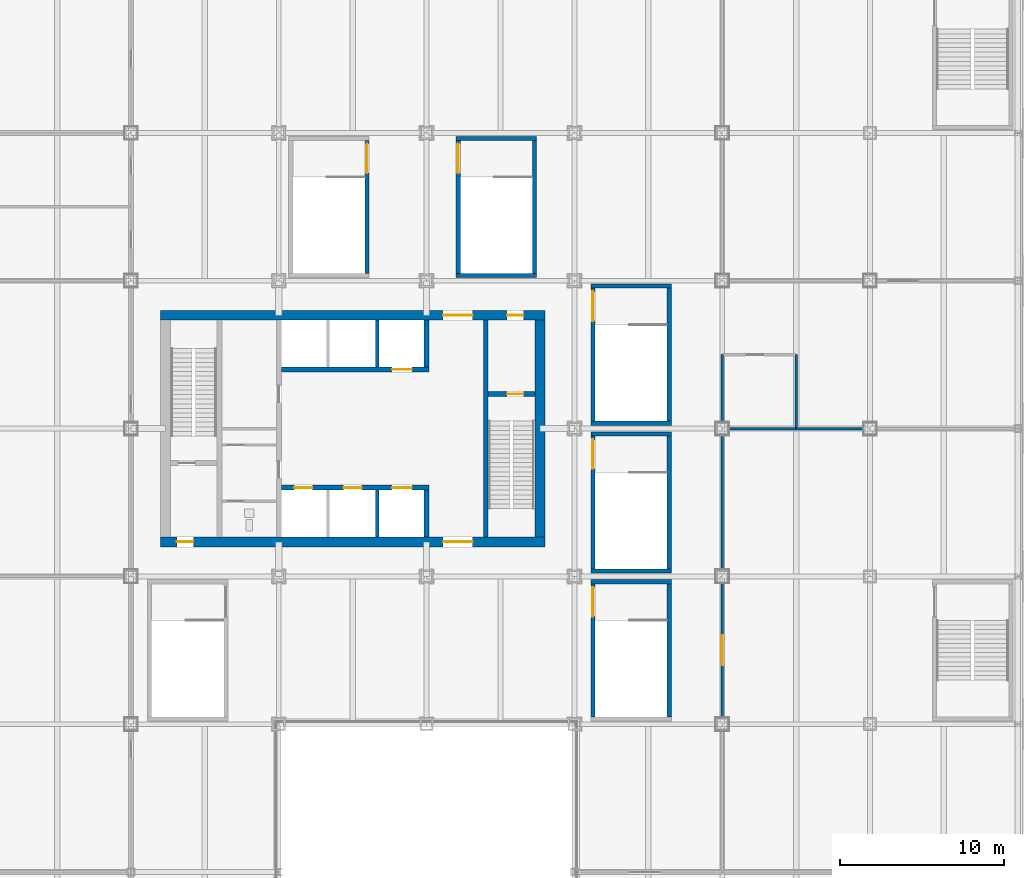
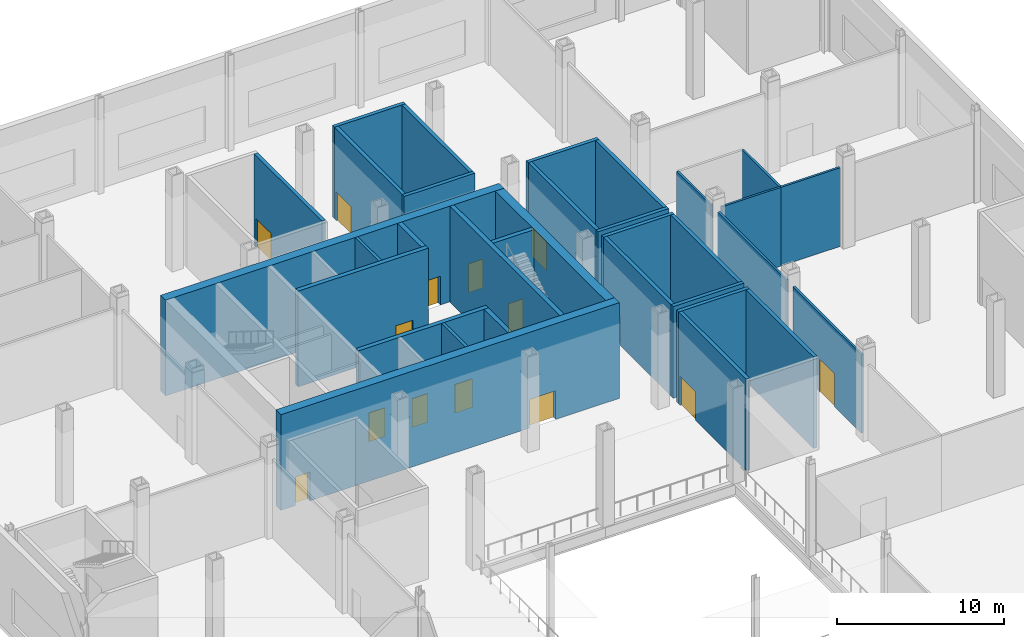
# One storey, part 13 of 32: 33 walls, 15 doors, 15 openings.
"""IFC4 building model written with IfcOpenShell, lengths in metres."""

import ifcopenshell
import ifcopenshell.guid

model = None  # the IFC model being written
_history = None  # IfcOwnerHistory: only IFC2X3 demands one
_inside = {}  # id of a spatial element -> (the spatial element, [elements in it])
_under = {}  # id of a project, library or spatial element -> (it, [spatial elements below it])
_declared = {}  # id of a project -> (the project, [libraries it declares])
_typed = {}  # id of a type object -> (the type object, [elements of that type])
_made_of = {}  # id of a material, layer set ... -> (it, [elements and type objects made of it])


def new_model(schema):
    """Start an empty IFC model of exactly this schema.

    Asked for "IFC4X3", IfcOpenShell would pick the latest addendum, in which some entities
    have other attributes; the version numbers below select the first issue.
    IFC2X3 requires an IfcOwnerHistory on every rooted entity: one is made here for all.
    """
    global model, _history
    if schema == "IFC4X3":
        model = ifcopenshell.file(schema_version=(4, 3, 0, 0))
    else:
        model = ifcopenshell.file(schema=schema)
    _inside.clear()
    _under.clear()
    _declared.clear()
    _typed.clear()
    _made_of.clear()
    _history = None
    if model.schema == "IFC2X3":
        org = make("IfcOrganization", Name="unknown")
        user = make(
            "IfcPersonAndOrganization",
            ThePerson=make("IfcPerson", FamilyName="unknown"),
            TheOrganization=org,
        )
        app = make(
            "IfcApplication",
            ApplicationDeveloper=org,
            Version="unknown",
            ApplicationFullName="unknown",
            ApplicationIdentifier="unknown",
        )
        _history = make(
            "IfcOwnerHistory",
            OwningUser=user,
            OwningApplication=app,
            ChangeAction="ADDED",
            CreationDate=0,
        )
    return model


def make(cls, **values):
    """One entity of the class cls with the attributes given. An attribute that is None is left unset."""
    return model.create_entity(
        cls, **{name: value for name, value in values.items() if value is not None}
    )


def rooted(cls, **values):
    """An entity with a GlobalId (a new one), such as an element, a storey or a relation."""
    return make(cls, GlobalId=ifcopenshell.guid.new(), OwnerHistory=_history, **values)


def si_unit(unit_type, name, prefix=None):
    """IfcSIUnit, for example si_unit("LENGTHUNIT", "METRE", prefix="MILLI")."""
    return make("IfcSIUnit", UnitType=unit_type, Prefix=prefix, Name=name)


def assignment(units):
    """IfcUnitAssignment: the units of a project."""
    return None if units is None else make("IfcUnitAssignment", Units=units)


def point(xyz):
    """IfcCartesianPoint."""
    return None if xyz is None else make("IfcCartesianPoint", Coordinates=xyz)


def direction(xyz):
    """IfcDirection."""
    return None if xyz is None else make("IfcDirection", DirectionRatios=xyz)


def frame(location, z_axis=None, x_axis=None):
    """IfcAxis2Placement3D, a coordinate frame: its origin and axes. An axis left out is left unset."""
    return make(
        "IfcAxis2Placement3D",
        Location=point(location),
        Axis=direction(z_axis),
        RefDirection=direction(x_axis),
    )


def frame_2d(location, x_axis=None):
    """IfcAxis2Placement2D, a coordinate frame in the plane: its origin and x axis."""
    return make(
        "IfcAxis2Placement2D", Location=point(location), RefDirection=direction(x_axis)
    )


def origin():
    """The frame at (0, 0, 0) with its axes left unset."""
    return frame((0.0, 0.0, 0.0))


def place(relative_to, where):
    """IfcLocalPlacement: puts the frame where relative to a parent placement (None: the world)."""
    return make(
        "IfcLocalPlacement", PlacementRelTo=relative_to, RelativePlacement=where
    )


def context(
    kind, dimensions, precision=None, world=None, true_north=None, identifier=None
):
    """IfcGeometricRepresentationContext, for example the 3D "Model" context."""
    return make(
        "IfcGeometricRepresentationContext",
        ContextIdentifier=identifier,
        ContextType=kind,
        CoordinateSpaceDimension=dimensions,
        Precision=precision,
        WorldCoordinateSystem=world,
        TrueNorth=true_north,
    )


def subcontext(parent, identifier, kind, view, scale=None):
    """IfcGeometricRepresentationSubContext, for example "Body" below "Model"."""
    return make(
        "IfcGeometricRepresentationSubContext",
        ContextIdentifier=identifier,
        ContextType=kind,
        ParentContext=parent,
        TargetScale=scale,
        TargetView=view,
    )


def project(units=None, contexts=None):
    """IfcProject with its units and contexts."""
    return rooted(
        "IfcProject",
        Name="project",
        RepresentationContexts=contexts,
        UnitsInContext=assignment(units),
    )


def spatial(cls, under=None, at=None, **own):
    """A site, building, storey or space (cls), placed at a placement, below another one or the project."""
    s = rooted(cls, ObjectPlacement=at, **own)
    if under is not None:
        _under.setdefault(under.id(), (under, []))[1].append(s)
    return s


def profile(cls, at=None, kind="AREA", **sizes):
    """A parametric profile (cls). Its sizes go by their IFC names, for example OverallWidth=200.0."""
    return make(cls, ProfileType=kind, Position=at, **sizes)


def rectangle(**sizes):
    """IfcRectangleProfileDef."""
    return profile("IfcRectangleProfileDef", **sizes)


def extrude(swept, where, along, depth):
    """IfcExtrudedAreaSolid: the profile swept, set in the frame where, extruded along a direction by depth."""
    return make(
        "IfcExtrudedAreaSolid",
        SweptArea=swept,
        Position=where,
        ExtrudedDirection=direction(along),
        Depth=depth,
    )


def shape(context_of_items, identifier, shape_type, items):
    """IfcShapeRepresentation: the items that make up one representation, for example the "Body"."""
    return make(
        "IfcShapeRepresentation",
        ContextOfItems=context_of_items,
        RepresentationIdentifier=identifier,
        RepresentationType=shape_type,
        Items=items,
    )


def material(Name=None, Category=None):
    """IfcMaterial."""
    return make("IfcMaterial", Name=Name, Category=Category)


def layer(
    of_material, thickness, ventilated=None, Name=None, Category=None, Priority=None
):
    """IfcMaterialLayer: one layer of a wall or slab, of a material (None: an air gap)."""
    return make(
        "IfcMaterialLayer",
        Material=of_material,
        LayerThickness=thickness,
        IsVentilated=ventilated,
        Name=Name,
        Category=Category,
        Priority=Priority,
    )


def layer_set(layers, Name=None):
    """IfcMaterialLayerSet."""
    return make("IfcMaterialLayerSet", MaterialLayers=layers, LayerSetName=Name)


def made_of(thing, what):
    """Note that an element or type object is made of a material, layer set ...; save() writes the relation."""
    if what is not None:
        _made_of.setdefault(what.id(), (what, []))[1].append(thing)
    return thing


def type_object(cls, material=None, **own):
    """A type object (cls), such as IfcWallType, which elements share."""
    return made_of(rooted(cls, **own), material)


def element(
    cls,
    number,
    at=None,
    inside=None,
    cuts=None,
    type_object=None,
    material=None,
    context=None,
    identifier="Body",
    shape_type=None,
    held_by="IfcProductDefinitionShape",
    body=None,
    shapes=None,
    **own,
):
    """One element of the class cls, such as IfcWall. Its Tag is "e" and its number.

    at: its placement. inside: the storey or other place that contains it. cuts: it is an
    opening in that element (IfcRelVoidsElement). A single representation is given by context,
    identifier, shape_type and body (its items); several are given by shapes. held_by: the class
    of the entity that holds the representations. save() writes the other relations.
    """
    e = rooted(cls, Tag="e%d" % number, ObjectPlacement=at, **own)
    if body is not None:
        shapes = [shape(context, identifier, shape_type, body)]
    if shapes is not None:
        e.Representation = make(held_by, Representations=shapes)
    if inside is not None:
        _inside.setdefault(inside.id(), (inside, []))[1].append(e)
    if cuts is not None:
        rooted(
            "IfcRelVoidsElement", RelatingBuildingElement=cuts, RelatedOpeningElement=e
        )
    if type_object is not None:
        _typed.setdefault(type_object.id(), (type_object, []))[1].append(e)
    return made_of(e, material)


def fill(opening, filler):
    """IfcRelFillsElement: the door or window that sits in an opening."""
    return rooted(
        "IfcRelFillsElement",
        RelatingOpeningElement=opening,
        RelatedBuildingElement=filler,
    )


def aggregate(whole, parts):
    """IfcRelAggregates: a whole, such as a stair, and the parts it consists of."""
    return rooted("IfcRelAggregates", RelatingObject=whole, RelatedObjects=parts)


def save(model, path):
    """Write the relations noted so far, then the file.

    IfcRelAggregates (storeys below a building ...), IfcRelContainedInSpatialStructure (elements
    in a storey), IfcRelDefinesByType, IfcRelAssociatesMaterial and IfcRelDeclares: one each for
    every whole, place, type object, material and project.
    """
    for whole, parts in _under.values():
        aggregate(whole, parts)
    for where, things in _inside.values():
        rooted(
            "IfcRelContainedInSpatialStructure",
            RelatedElements=things,
            RelatingStructure=where,
        )
    for kind, things in _typed.values():
        rooted("IfcRelDefinesByType", RelatedObjects=things, RelatingType=kind)
    for what, things in _made_of.values():
        rooted("IfcRelAssociatesMaterial", RelatedObjects=things, RelatingMaterial=what)
    for by, libraries in _declared.values():
        rooted("IfcRelDeclares", RelatingContext=by, RelatedDefinitions=libraries)
    model.write(path)


model = new_model("IFC4")

# Units and contexts
model_context = context("Model", 3, precision=1e-05, world=origin(), true_north=direction((0.0, 1.0)))
body_context = subcontext(model_context, "Body", "Model", "MODEL_VIEW")
ifc_project = project(units=[si_unit("LENGTHUNIT", "METRE"), si_unit("AREAUNIT", "SQUARE_METRE"), si_unit("VOLUMEUNIT", "CUBIC_METRE"), si_unit("PLANEANGLEUNIT", "RADIAN"), si_unit("MASSUNIT", "GRAM", prefix="KILO")], contexts=[model_context])

# Site, building, storey
site_placement = place(None, origin())
site = spatial("IfcSite", under=ifc_project, at=site_placement, CompositionType="ELEMENT")
building_placement = place(site_placement, origin())
building = spatial("IfcBuilding", under=site, at=building_placement, Name="Loomwork Tower", CompositionType="ELEMENT")
storey_placement = place(building_placement, frame((0.0, 0.0, 16.0)))
storey = spatial("IfcBuildingStorey", under=building, at=storey_placement, Name="L03", CompositionType="ELEMENT", Elevation=16.0)

# Wall, openings, doors
ifc_material_1 = material(Name="Concrete 14000 psi (97 MPa)", Category="concrete")
ifc_layer_1 = layer(ifc_material_1, 0.300048828125)
ifc_layer_set_1 = layer_set([ifc_layer_1], Name="Core shear wall 300")
wall_type_1 = type_object("IfcWallType", Name="Core shear wall 300", PredefinedType="SHEAR", material=ifc_layer_set_1)
wall_1_placement = place(storey_placement, frame((18.14990234375, 14.39990234375, 0.0), z_axis=(0.0, 0.0, 1.0), x_axis=(1.0, 0.0, 0.0)))
wall_1 = element("IfcWall", 1, at=wall_1_placement, inside=storey, type_object=wall_type_1, Name="Lift front wall south L03", PredefinedType="SHEAR", context=body_context, shape_type="SweptSolid", body=[
    extrude(rectangle(XDim=9.0, YDim=0.300048828125, at=frame_2d((4.5, 0.0))), origin(), (0.0, 0.0, 1.0), 7.0),
])
opening_1_placement = place(wall_1_placement, frame((0.800048828125, 0.0, 0.0)))
opening_1 = element("IfcOpeningElement", 2, at=opening_1_placement, cuts=wall_1, Name="Opening LD1", PredefinedType="OPENING", context=body_context, shape_type="SweptSolid", body=[
    extrude(rectangle(XDim=1.10009765625, YDim=2.10009765625, at=frame_2d((0.550048828125, 1.050048828125))), frame((0.0, 0.159912109375, 0.0), z_axis=(0.0, -1.0, 0.0), x_axis=(1.0, 0.0, 0.0)), (0.0, 0.0, 1.0), 0.320068359375),
])
opening_2_placement = place(wall_1_placement, frame((3.800048828125, 0.0, 0.0)))
opening_2 = element("IfcOpeningElement", 3, at=opening_2_placement, cuts=wall_1, Name="Opening LD1", PredefinedType="OPENING", context=body_context, shape_type="SweptSolid", body=[
    extrude(rectangle(XDim=1.10009765625, YDim=2.10009765625, at=frame_2d((0.550048828125, 1.050048828125))), frame((0.0, 0.159912109375, 0.0), z_axis=(0.0, -1.0, 0.0), x_axis=(1.0, 0.0, 0.0)), (0.0, 0.0, 1.0), 0.320068359375),
])
opening_3_placement = place(wall_1_placement, frame((6.75, 0.0, 0.0)))
opening_3 = element("IfcOpeningElement", 4, at=opening_3_placement, cuts=wall_1, Name="Opening LD2", PredefinedType="OPENING", context=body_context, shape_type="SweptSolid", body=[
    extrude(rectangle(XDim=1.199951171875, YDim=2.10009765625, at=frame_2d((0.60009765625, 1.050048828125))), frame((0.0, 0.159912109375, 0.0), z_axis=(0.0, -1.0, 0.0), x_axis=(1.0, 0.0, 0.0)), (0.0, 0.0, 1.0), 0.320068359375),
])
ifc_material_2 = material(Name="Hollow metal door and frame")
door_type_1 = type_object("IfcDoorType", Name="Lift landing door 1100", OperationType="SLIDING_TO_LEFT", PredefinedType="DOOR", material=ifc_material_2)
door_1_placement = place(opening_1_placement, origin())
door_1 = element("IfcDoor", 5, at=door_1_placement, inside=storey, type_object=door_type_1, Name="Lift landing door LA1", OperationType="SLIDING_TO_LEFT", OverallHeight=2.10009765625, OverallWidth=1.10009765625, PredefinedType="DOOR", context=body_context, shape_type="SweptSolid", body=[
    extrude(rectangle(XDim=1.10009765625, YDim=2.10009765625, at=frame_2d((0.550048828125, 1.050048828125))), frame((0.0, 0.02490234375, 0.0), z_axis=(0.0, -1.0, 0.0), x_axis=(1.0, 0.0, 0.0)), (0.0, 0.0, 1.0), 0.050048828125),
])
fill(opening_1, door_1)
door_2_placement = place(opening_2_placement, origin())
door_2 = element("IfcDoor", 6, at=door_2_placement, inside=storey, type_object=door_type_1, Name="Lift landing door LA2", OperationType="SLIDING_TO_LEFT", OverallHeight=2.10009765625, OverallWidth=1.10009765625, PredefinedType="DOOR", context=body_context, shape_type="SweptSolid", body=[
    extrude(rectangle(XDim=1.10009765625, YDim=2.10009765625, at=frame_2d((0.550048828125, 1.050048828125))), frame((0.0, 0.02490234375, 0.0), z_axis=(0.0, -1.0, 0.0), x_axis=(1.0, 0.0, 0.0)), (0.0, 0.0, 1.0), 0.050048828125),
])
fill(opening_2, door_2)
ifc_material_3 = material(Name="Hollow metal door and frame")
door_type_2 = type_object("IfcDoorType", Name="Lift landing door 1200", OperationType="SLIDING_TO_LEFT", PredefinedType="DOOR", material=ifc_material_3)
door_3_placement = place(opening_3_placement, origin())
door_3 = element("IfcDoor", 7, at=door_3_placement, inside=storey, type_object=door_type_2, Name="Lift landing door LF1", OperationType="SLIDING_TO_LEFT", OverallHeight=2.10009765625, OverallWidth=1.199951171875, PredefinedType="DOOR", context=body_context, shape_type="SweptSolid", body=[
    extrude(rectangle(XDim=1.199951171875, YDim=2.10009765625, at=frame_2d((0.60009765625, 1.050048828125))), frame((0.0, 0.02490234375, 0.0), z_axis=(0.0, -1.0, 0.0), x_axis=(1.0, 0.0, 0.0)), (0.0, 0.0, 1.0), 0.050048828125),
])
fill(opening_3, door_3)

# Wall
wall_2_placement = place(storey_placement, frame((27.0, 11.39990234375, 0.0), z_axis=(0.0, 0.0, 1.0), x_axis=(0.0, 1.0, 0.0)))
element("IfcWall", 8, at=wall_2_placement, inside=storey, type_object=wall_type_1, Name="Lift shaft end wall south L03", PredefinedType="SHEAR", context=body_context, shape_type="SweptSolid", body=[
    extrude(rectangle(XDim=2.85009765625, YDim=0.300048828125, at=frame_2d((1.425048828125, 0.0))), origin(), (0.0, 0.0, 1.0), 7.0),
])

# Wall, opening, door
wall_3_placement = place(storey_placement, frame((18.14990234375, 21.60009765625, 0.0), z_axis=(0.0, 0.0, 1.0), x_axis=(1.0, 0.0, 0.0)))
wall_3 = element("IfcWall", 9, at=wall_3_placement, inside=storey, type_object=wall_type_1, Name="Lift front wall north L03", PredefinedType="SHEAR", context=body_context, shape_type="SweptSolid", body=[
    extrude(rectangle(XDim=9.0, YDim=0.300048828125, at=frame_2d((4.5, 0.0))), origin(), (0.0, 0.0, 1.0), 7.0),
])
opening_4_placement = place(wall_3_placement, frame((6.75, 0.0, 0.0)))
opening_4 = element("IfcOpeningElement", 10, at=opening_4_placement, cuts=wall_3, Name="Opening LD2", PredefinedType="OPENING", context=body_context, shape_type="SweptSolid", body=[
    extrude(rectangle(XDim=1.199951171875, YDim=2.10009765625, at=frame_2d((0.60009765625, 1.050048828125))), frame((0.0, 0.159912109375, 0.0), z_axis=(0.0, -1.0, 0.0), x_axis=(1.0, 0.0, 0.0)), (0.0, 0.0, 1.0), 0.320068359375),
])
door_4_placement = place(opening_4_placement, origin())
door_4 = element("IfcDoor", 11, at=door_4_placement, inside=storey, type_object=door_type_2, Name="Lift landing door LF2", OperationType="SLIDING_TO_LEFT", OverallHeight=2.10009765625, OverallWidth=1.199951171875, PredefinedType="DOOR", context=body_context, shape_type="SweptSolid", body=[
    extrude(rectangle(XDim=1.199951171875, YDim=2.10009765625, at=frame_2d((0.60009765625, 1.050048828125))), frame((0.0, 0.02490234375, 0.0), z_axis=(0.0, -1.0, 0.0), x_axis=(1.0, 0.0, 0.0)), (0.0, 0.0, 1.0), 0.050048828125),
])
fill(opening_4, door_4)

# Walls
wall_4_placement = place(storey_placement, frame((27.0, 21.75, 0.0), z_axis=(0.0, 0.0, 1.0), x_axis=(0.0, 1.0, 0.0)))
element("IfcWall", 12, at=wall_4_placement, inside=storey, type_object=wall_type_1, Name="Lift shaft end wall north L03", PredefinedType="SHEAR", context=body_context, shape_type="SweptSolid", body=[
    extrude(rectangle(XDim=2.85009765625, YDim=0.300048828125, at=frame_2d((1.425048828125, 0.0))), origin(), (0.0, 0.0, 1.0), 7.0),
])
wall_5_placement = place(storey_placement, frame((30.60009765625, 11.39990234375, 0.0), z_axis=(0.0, 0.0, 1.0), x_axis=(0.0, 1.0, 0.0)))
element("IfcWall", 13, at=wall_5_placement, inside=storey, type_object=wall_type_1, Name="Stair B west wall L03", PredefinedType="SHEAR", context=body_context, shape_type="SweptSolid", body=[
    extrude(rectangle(XDim=13.2001953125, YDim=0.300048828125, at=frame_2d((6.60009765625, 0.0))), origin(), (0.0, 0.0, 1.0), 7.0),
])

# Wall, opening, door
wall_6_placement = place(storey_placement, frame((30.75, 20.10009765625, 0.0), z_axis=(0.0, 0.0, 1.0), x_axis=(1.0, 0.0, 0.0)))
wall_6 = element("IfcWall", 14, at=wall_6_placement, inside=storey, type_object=wall_type_1, Name="Stair B north wall L03", PredefinedType="SHEAR", context=body_context, shape_type="SweptSolid", body=[
    extrude(rectangle(XDim=2.85009765625, YDim=0.300048828125, at=frame_2d((1.425048828125, 0.0))), origin(), (0.0, 0.0, 1.0), 7.0),
])
opening_5_placement = place(wall_6_placement, frame((1.14990234375, 0.0, 0.0)))
opening_5 = element("IfcOpeningElement", 15, at=opening_5_placement, cuts=wall_6, Name="Opening D4", PredefinedType="OPENING", context=body_context, shape_type="SweptSolid", body=[
    extrude(rectangle(XDim=1.0, YDim=2.10009765625, at=frame_2d((0.5, 1.050048828125))), frame((0.0, 0.159912109375, 0.0), z_axis=(0.0, -1.0, 0.0), x_axis=(1.0, 0.0, 0.0)), (0.0, 0.0, 1.0), 0.320068359375),
])
ifc_material_4 = material(Name="Hollow metal door and frame")
door_type_3 = type_object("IfcDoorType", Name="Stair door 1000", OperationType="SINGLE_SWING_RIGHT", PredefinedType="DOOR", material=ifc_material_4)
door_5_placement = place(opening_5_placement, frame((1.0, 0.0, 0.0), z_axis=(0.0, 0.0, 1.0), x_axis=(-1.0, 0.0, 0.0)))
door_5 = element("IfcDoor", 16, at=door_5_placement, inside=storey, type_object=door_type_3, Name="Stair B door", OperationType="SINGLE_SWING_LEFT", OverallHeight=2.10009765625, OverallWidth=1.0, PredefinedType="DOOR", context=body_context, shape_type="SweptSolid", body=[
    extrude(rectangle(XDim=1.0, YDim=2.10009765625, at=frame_2d((0.5, 1.050048828125))), frame((0.0, 0.02490234375, 0.0), z_axis=(0.0, -1.0, 0.0), x_axis=(1.0, 0.0, 0.0)), (0.0, 0.0, 1.0), 0.050048828125),
])
fill(opening_5, door_5)

# Wall, openings, doors
ifc_material_5 = material(Name="Concrete 14000 psi (97 MPa)", Category="concrete")
ifc_layer_2 = layer(ifc_material_5, 0.60009765625)
ifc_layer_set_2 = layer_set([ifc_layer_2], Name="Core shear wall 600")
wall_type_2 = type_object("IfcWallType", Name="Core shear wall 600", PredefinedType="SHEAR", material=ifc_layer_set_2)
wall_7_placement = place(storey_placement, frame((10.800048828125, 11.10009765625, 0.0), z_axis=(0.0, 0.0, 1.0), x_axis=(1.0, 0.0, 0.0)))
wall_7 = element("IfcWall", 17, at=wall_7_placement, inside=storey, type_object=wall_type_2, Name="Core wall south L03", PredefinedType="SHEAR", context=body_context, shape_type="SweptSolid", body=[
    extrude(rectangle(XDim=23.39990234375, YDim=0.60009765625, at=frame_2d((11.699951171875, 0.0))), origin(), (0.0, 0.0, 1.0), 7.0),
])
opening_6_placement = place(wall_7_placement, frame((1.0, 0.0, 0.0)))
opening_6 = element("IfcOpeningElement", 18, at=opening_6_placement, cuts=wall_7, Name="Opening D4", PredefinedType="OPENING", context=body_context, shape_type="SweptSolid", body=[
    extrude(rectangle(XDim=1.0, YDim=2.10009765625, at=frame_2d((0.5, 1.050048828125))), frame((0.0, 0.31005859375, 0.0), z_axis=(0.0, -1.0, 0.0), x_axis=(1.0, 0.0, 0.0)), (0.0, 0.0, 1.0), 0.6201171875),
])
opening_7_placement = place(wall_7_placement, frame((17.199951171875, 0.0, 0.0)))
opening_7 = element("IfcOpeningElement", 19, at=opening_7_placement, cuts=wall_7, Name="Opening D6", PredefinedType="OPENING", context=body_context, shape_type="SweptSolid", body=[
    extrude(rectangle(XDim=1.800048828125, YDim=2.10009765625, at=frame_2d((0.89990234375, 1.050048828125))), frame((0.0, 0.31005859375, 0.0), z_axis=(0.0, -1.0, 0.0), x_axis=(1.0, 0.0, 0.0)), (0.0, 0.0, 1.0), 0.6201171875),
])
ifc_material_6 = material(Name="Hollow metal door and frame")
door_type_4 = type_object("IfcDoorType", Name="Lobby passage double door 1800", OperationType="DOUBLE_DOOR_SINGLE_SWING", PredefinedType="DOOR", material=ifc_material_6)
door_6_placement = place(opening_7_placement, origin())
door_6 = element("IfcDoor", 20, at=door_6_placement, inside=storey, type_object=door_type_4, Name="Lobby passage door south", OperationType="DOUBLE_DOOR_SINGLE_SWING", OverallHeight=2.10009765625, OverallWidth=1.800048828125, PredefinedType="DOOR", context=body_context, shape_type="SweptSolid", body=[
    extrude(rectangle(XDim=1.800048828125, YDim=2.10009765625, at=frame_2d((0.89990234375, 1.050048828125))), frame((0.0, 0.02490234375, 0.0), z_axis=(0.0, -1.0, 0.0), x_axis=(1.0, 0.0, 0.0)), (0.0, 0.0, 1.0), 0.050048828125),
])
fill(opening_7, door_6)
door_7_placement = place(opening_6_placement, origin())
door_7 = element("IfcDoor", 21, at=door_7_placement, inside=storey, type_object=door_type_3, Name="Stair A vestibule door", OperationType="SINGLE_SWING_LEFT", OverallHeight=2.10009765625, OverallWidth=1.0, PredefinedType="DOOR", context=body_context, shape_type="SweptSolid", body=[
    extrude(rectangle(XDim=1.0, YDim=2.10009765625, at=frame_2d((0.5, 1.050048828125))), frame((0.0, 0.02490234375, 0.0), z_axis=(0.0, -1.0, 0.0), x_axis=(1.0, 0.0, 0.0)), (0.0, 0.0, 1.0), 0.050048828125),
])
fill(opening_6, door_7)

wall_8_placement = place(storey_placement, frame((10.800048828125, 24.89990234375, 0.0), z_axis=(0.0, 0.0, 1.0), x_axis=(1.0, 0.0, 0.0)))
wall_8 = element("IfcWall", 22, at=wall_8_placement, inside=storey, type_object=wall_type_2, Name="Core wall north L03", PredefinedType="SHEAR", context=body_context, shape_type="SweptSolid", body=[
    extrude(rectangle(XDim=23.39990234375, YDim=0.60009765625, at=frame_2d((11.699951171875, 0.0))), origin(), (0.0, 0.0, 1.0), 7.0),
])
opening_8_placement = place(wall_8_placement, frame((17.199951171875, 0.0, 0.0)))
opening_8 = element("IfcOpeningElement", 23, at=opening_8_placement, cuts=wall_8, Name="Opening D6", PredefinedType="OPENING", context=body_context, shape_type="SweptSolid", body=[
    extrude(rectangle(XDim=1.800048828125, YDim=2.10009765625, at=frame_2d((0.89990234375, 1.050048828125))), frame((0.0, 0.31005859375, 0.0), z_axis=(0.0, -1.0, 0.0), x_axis=(1.0, 0.0, 0.0)), (0.0, 0.0, 1.0), 0.6201171875),
])
opening_9_placement = place(wall_8_placement, frame((21.10009765625, 0.0, 0.0)))
opening_9 = element("IfcOpeningElement", 24, at=opening_9_placement, cuts=wall_8, Name="Opening D4", PredefinedType="OPENING", context=body_context, shape_type="SweptSolid", body=[
    extrude(rectangle(XDim=1.0, YDim=2.10009765625, at=frame_2d((0.5, 1.050048828125))), frame((0.0, 0.31005859375, 0.0), z_axis=(0.0, -1.0, 0.0), x_axis=(1.0, 0.0, 0.0)), (0.0, 0.0, 1.0), 0.6201171875),
])
door_8_placement = place(opening_8_placement, frame((1.800048828125, 0.0, 0.0), z_axis=(0.0, 0.0, 1.0), x_axis=(-1.0, 0.0, 0.0)))
door_8 = element("IfcDoor", 25, at=door_8_placement, inside=storey, type_object=door_type_4, Name="Lobby passage door north", OperationType="DOUBLE_DOOR_SINGLE_SWING", OverallHeight=2.10009765625, OverallWidth=1.800048828125, PredefinedType="DOOR", context=body_context, shape_type="SweptSolid", body=[
    extrude(rectangle(XDim=1.800048828125, YDim=2.10009765625, at=frame_2d((0.89990234375, 1.050048828125))), frame((0.0, 0.02490234375, 0.0), z_axis=(0.0, -1.0, 0.0), x_axis=(1.0, 0.0, 0.0)), (0.0, 0.0, 1.0), 0.050048828125),
])
fill(opening_8, door_8)
door_9_placement = place(opening_9_placement, frame((1.0, 0.0, 0.0), z_axis=(0.0, 0.0, 1.0), x_axis=(-1.0, 0.0, 0.0)))
door_9 = element("IfcDoor", 26, at=door_9_placement, inside=storey, type_object=door_type_3, Name="Stair B vestibule door", OperationType="SINGLE_SWING_LEFT", OverallHeight=2.10009765625, OverallWidth=1.0, PredefinedType="DOOR", context=body_context, shape_type="SweptSolid", body=[
    extrude(rectangle(XDim=1.0, YDim=2.10009765625, at=frame_2d((0.5, 1.050048828125))), frame((0.0, 0.02490234375, 0.0), z_axis=(0.0, -1.0, 0.0), x_axis=(1.0, 0.0, 0.0)), (0.0, 0.0, 1.0), 0.050048828125),
])
fill(opening_9, door_9)

# Walls
wall_9_placement = place(storey_placement, frame((33.89990234375, 11.39990234375, 0.0), z_axis=(0.0, 0.0, 1.0), x_axis=(0.0, 1.0, 0.0)))
element("IfcWall", 27, at=wall_9_placement, inside=storey, type_object=wall_type_2, Name="Core wall east L03", PredefinedType="SHEAR", context=body_context, shape_type="SweptSolid", body=[
    extrude(rectangle(XDim=13.2001953125, YDim=0.60009765625, at=frame_2d((6.60009765625, 0.0))), origin(), (0.0, 0.0, 1.0), 7.0),
])
ifc_material_7 = material(Name="Concrete 14000 psi (97 MPa)", Category="concrete")
ifc_layer_3 = layer(ifc_material_7, 0.199951171875)
ifc_layer_set_3 = layer_set([ifc_layer_3], Name="Lift shaft wall 200")
wall_type_3 = type_object("IfcWallType", Name="Lift shaft wall 200", PredefinedType="SHEAR", material=ifc_layer_set_3)
for number, where, z_axis, x_axis, name in (
    (28, (24.0, 11.39990234375, 0.0), (0.0, 0.0, 1.0), (0.0, 1.0, 0.0), "Lift shaft separation wall south 2 L03"),
    (29, (24.0, 21.75, 0.0), (0.0, 0.0, 1.0), (0.0, 1.0, 0.0), "Lift shaft separation wall north 2 L03"),
):
    element("IfcWall", number, at=place(storey_placement, frame(where, z_axis=z_axis, x_axis=x_axis)), inside=storey, type_object=wall_type_3, Name=name, PredefinedType="SHEAR", context=body_context, shape_type="SweptSolid", body=[
        extrude(rectangle(XDim=2.85009765625, YDim=0.199951171875, at=frame_2d((1.425048828125, 0.0))), origin(), (0.0, 0.0, 1.0), 7.0),
    ])

# Wall, opening, door
ifc_material_8 = material(Name="Gypsum board on steel studs, one-hour", Category="steel")
ifc_layer_4 = layer(ifc_material_8, 0.14990234375)
ifc_layer_set_4 = layer_set([ifc_layer_4], Name="Partition 150")
wall_type_4 = type_object("IfcWallType", Name="Partition 150", PredefinedType="PARTITIONING", material=ifc_layer_set_4)
wall_10_placement = place(storey_placement, frame((45.0, 0.39990234375, 0.0), z_axis=(0.0, 0.0, 1.0), x_axis=(0.0, 1.0, 0.0)))
wall_10 = element("IfcWall", 30, at=wall_10_placement, inside=storey, type_object=wall_type_4, Name="Partition L03 15.2", PredefinedType="PARTITIONING", context=body_context, shape_type="SweptSolid", body=[
    extrude(rectangle(XDim=8.2001953125, YDim=0.14990234375, at=frame_2d((4.10009765625, 0.0))), origin(), (0.0, 0.0, 1.0), 5.752685546875),
])
opening_10_placement = place(wall_10_placement, frame((3.199951171875, 0.0, 0.0)))
opening_10 = element("IfcOpeningElement", 31, at=opening_10_placement, cuts=wall_10, Name="Opening D16", PredefinedType="OPENING", context=body_context, shape_type="SweptSolid", body=[
    extrude(rectangle(XDim=1.800048828125, YDim=2.39990234375, at=frame_2d((0.89990234375, 1.199951171875))), frame((0.0, 0.0849609375, 0.0), z_axis=(0.0, -1.0, 0.0), x_axis=(1.0, 0.0, 0.0)), (0.0, 0.0, 1.0), 0.169921875),
])
ifc_material_9 = material(Name="Hollow metal door and frame")
door_type_5 = type_object("IfcDoorType", Name="Fire-rated double door 1800", OperationType="DOUBLE_DOOR_SINGLE_SWING", PredefinedType="DOOR", material=ifc_material_9)
door_10_placement = place(opening_10_placement, frame((1.800048828125, 0.0, 0.0), z_axis=(0.0, 0.0, 1.0), x_axis=(-1.0, 0.0, 0.0)))
door_10 = element("IfcDoor", 32, at=door_10_placement, inside=storey, type_object=door_type_5, Name="Banquet kitchen door", OperationType="DOUBLE_DOOR_SINGLE_SWING", OverallHeight=2.39990234375, OverallWidth=1.800048828125, PredefinedType="DOOR", context=body_context, shape_type="SweptSolid", body=[
    extrude(rectangle(XDim=1.800048828125, YDim=2.39990234375, at=frame_2d((0.89990234375, 1.199951171875))), frame((0.0, 0.02490234375, 0.0), z_axis=(0.0, -1.0, 0.0), x_axis=(1.0, 0.0, 0.0)), (0.0, 0.0, 1.0), 0.050048828125),
])
fill(opening_10, door_10)

# Walls
wall_11_placement = place(storey_placement, frame((45.0, 9.39990234375, 0.0), z_axis=(0.0, 0.0, 1.0), x_axis=(0.0, 1.0, 0.0)))
element("IfcWall", 33, at=wall_11_placement, inside=storey, type_object=wall_type_4, Name="Partition L03 15.3", PredefinedType="PARTITIONING", context=body_context, shape_type="SweptSolid", body=[
    extrude(rectangle(XDim=8.2001953125, YDim=0.14990234375, at=frame_2d((4.10009765625, 0.0))), origin(), (0.0, 0.0, 1.0), 5.752685546875),
])
for number, where, z_axis, x_axis, name in (
    (34, (45.39990234375, 18.0, 0.0), (0.0, 0.0, 1.0), (1.0, 0.0, 0.0), "Partition L03 16.1"),
    (35, (45.0, 18.39990234375, 0.0), (0.0, 0.0, 1.0), (0.0, 1.0, 0.0), "Partition L03 17.1"),
):
    element("IfcWall", number, at=place(storey_placement, frame(where, z_axis=z_axis, x_axis=x_axis)), inside=storey, type_object=wall_type_4, Name=name, PredefinedType="PARTITIONING", context=body_context, shape_type="SweptSolid", body=[
        extrude(rectangle(XDim=4.10009765625, YDim=0.14990234375, at=frame_2d((2.050048828125, 0.0))), origin(), (0.0, 0.0, 1.0), 5.752685546875),
    ])
wall_12_placement = place(storey_placement, frame((49.5, 22.5, 0.0), z_axis=(0.0, 0.0, 1.0), x_axis=(0.0, -1.0, 0.0)))
element("IfcWall", 36, at=wall_12_placement, inside=storey, type_object=wall_type_4, Name="Partition L03 21.1", PredefinedType="PARTITIONING", context=body_context, shape_type="SweptSolid", body=[
    extrude(rectangle(XDim=4.5, YDim=0.14990234375, at=frame_2d((2.25, 0.0))), origin(), (0.0, 0.0, 1.0), 5.751953125),
])
wall_13_placement = place(storey_placement, frame((49.5, 18.0, 0.0), z_axis=(0.0, 0.0, 1.0), x_axis=(1.0, 0.0, 0.0)))
element("IfcWall", 37, at=wall_13_placement, inside=storey, type_object=wall_type_4, Name="Partition L03 22.1", PredefinedType="PARTITIONING", context=body_context, shape_type="SweptSolid", body=[
    extrude(rectangle(XDim=4.10009765625, YDim=0.14990234375, at=frame_2d((2.050048828125, 0.0))), origin(), (0.0, 0.0, 1.0), 5.752685546875),
])
ifc_material_10 = material(Name="Concrete masonry, two-hour", Category="masonry")
ifc_layer_5 = layer(ifc_material_10, 0.25)
ifc_layer_set_5 = layer_set([ifc_layer_5], Name="Stair enclosure wall 250")
wall_type_5 = type_object("IfcWallType", Name="Stair enclosure wall 250", PredefinedType="SOLIDWALL", material=ifc_layer_set_5)
wall_14_placement = place(storey_placement, frame((37.0, 8.675048828125, 0.0), z_axis=(0.0, 0.0, 1.0), x_axis=(1.0, 0.0, 0.0)))
element("IfcWall", 38, at=wall_14_placement, inside=storey, type_object=wall_type_5, Name="Stair PS7 enclosure wall N L03", PredefinedType="SOLIDWALL", context=body_context, shape_type="SweptSolid", body=[
    extrude(rectangle(XDim=4.89990234375, YDim=0.25, at=frame_2d((2.449951171875, 0.0))), origin(), (0.0, 0.0, 1.0), 6.699951171875),
])

# Wall, opening, door
wall_15_placement = place(storey_placement, frame((37.125, 0.449951171875, 0.0), z_axis=(0.0, 0.0, 1.0), x_axis=(0.0, 1.0, 0.0)))
wall_15 = element("IfcWall", 39, at=wall_15_placement, inside=storey, type_object=wall_type_5, Name="Stair PS7 enclosure wall W L03", PredefinedType="SOLIDWALL", context=body_context, shape_type="SweptSolid", body=[
    extrude(rectangle(XDim=8.10009765625, YDim=0.25, at=frame_2d((4.050048828125, 0.0))), origin(), (0.0, 0.0, 1.0), 6.699951171875),
])
opening_11_placement = place(wall_15_placement, frame((6.10009765625, 0.0, 0.0)))
opening_11 = element("IfcOpeningElement", 40, at=opening_11_placement, cuts=wall_15, Name="Opening D14", PredefinedType="OPENING", context=body_context, shape_type="SweptSolid", body=[
    extrude(rectangle(XDim=1.800048828125, YDim=2.10009765625, at=frame_2d((0.89990234375, 1.050048828125))), frame((0.0, 0.135009765625, 0.0), z_axis=(0.0, -1.0, 0.0), x_axis=(1.0, 0.0, 0.0)), (0.0, 0.0, 1.0), 0.27001953125),
])
ifc_material_11 = material(Name="Hollow metal door and frame")
door_type_6 = type_object("IfcDoorType", Name="Stair double door 1800", OperationType="DOUBLE_DOOR_SINGLE_SWING", PredefinedType="DOOR", material=ifc_material_11)
door_11_placement = place(opening_11_placement, frame((1.800048828125, 0.0, 0.0), z_axis=(0.0, 0.0, 1.0), x_axis=(-1.0, 0.0, 0.0)))
door_11 = element("IfcDoor", 41, at=door_11_placement, inside=storey, type_object=door_type_6, Name="Stair PS7 door L03", OperationType="DOUBLE_DOOR_SINGLE_SWING", OverallHeight=2.10009765625, OverallWidth=1.800048828125, PredefinedType="DOOR", context=body_context, shape_type="SweptSolid", body=[
    extrude(rectangle(XDim=1.800048828125, YDim=2.10009765625, at=frame_2d((0.89990234375, 1.050048828125))), frame((0.0, 0.02490234375, 0.0), z_axis=(0.0, -1.0, 0.0), x_axis=(1.0, 0.0, 0.0)), (0.0, 0.0, 1.0), 0.050048828125),
])
fill(opening_11, door_11)

# Walls
wall_16_placement = place(storey_placement, frame((41.77490234375, 0.449951171875, 0.0), z_axis=(0.0, 0.0, 1.0), x_axis=(0.0, 1.0, 0.0)))
element("IfcWall", 42, at=wall_16_placement, inside=storey, type_object=wall_type_5, Name="Stair PS7 enclosure wall E L03", PredefinedType="SOLIDWALL", context=body_context, shape_type="SweptSolid", body=[
    extrude(rectangle(XDim=8.10009765625, YDim=0.25, at=frame_2d((4.050048828125, 0.0))), origin(), (0.0, 0.0, 1.0), 6.699951171875),
])
for number, where, z_axis, x_axis, name in (
    (43, (37.0, 9.324951171875, 0.0), (0.0, 0.0, 1.0), (1.0, 0.0, 0.0), "Stair PS8 enclosure wall S L03"),
    (44, (37.0, 17.675048828125, 0.0), (0.0, 0.0, 1.0), (1.0, 0.0, 0.0), "Stair PS8 enclosure wall N L03"),
):
    element("IfcWall", number, at=place(storey_placement, frame(where, z_axis=z_axis, x_axis=x_axis)), inside=storey, type_object=wall_type_5, Name=name, PredefinedType="SOLIDWALL", context=body_context, shape_type="SweptSolid", body=[
        extrude(rectangle(XDim=4.89990234375, YDim=0.25, at=frame_2d((2.449951171875, 0.0))), origin(), (0.0, 0.0, 1.0), 6.699951171875),
    ])

# Wall, opening, door
wall_17_placement = place(storey_placement, frame((37.125, 9.449951171875, 0.0), z_axis=(0.0, 0.0, 1.0), x_axis=(0.0, 1.0, 0.0)))
wall_17 = element("IfcWall", 45, at=wall_17_placement, inside=storey, type_object=wall_type_5, Name="Stair PS8 enclosure wall W L03", PredefinedType="SOLIDWALL", context=body_context, shape_type="SweptSolid", body=[
    extrude(rectangle(XDim=8.10009765625, YDim=0.25, at=frame_2d((4.050048828125, 0.0))), origin(), (0.0, 0.0, 1.0), 6.699951171875),
])
opening_12_placement = place(wall_17_placement, frame((6.10009765625, 0.0, 0.0)))
opening_12 = element("IfcOpeningElement", 46, at=opening_12_placement, cuts=wall_17, Name="Opening D14", PredefinedType="OPENING", context=body_context, shape_type="SweptSolid", body=[
    extrude(rectangle(XDim=1.800048828125, YDim=2.10009765625, at=frame_2d((0.89990234375, 1.050048828125))), frame((0.0, 0.135009765625, 0.0), z_axis=(0.0, -1.0, 0.0), x_axis=(1.0, 0.0, 0.0)), (0.0, 0.0, 1.0), 0.27001953125),
])
door_12_placement = place(opening_12_placement, frame((1.800048828125, 0.0, 0.0), z_axis=(0.0, 0.0, 1.0), x_axis=(-1.0, 0.0, 0.0)))
door_12 = element("IfcDoor", 47, at=door_12_placement, inside=storey, type_object=door_type_6, Name="Stair PS8 door L03", OperationType="DOUBLE_DOOR_SINGLE_SWING", OverallHeight=2.10009765625, OverallWidth=1.800048828125, PredefinedType="DOOR", context=body_context, shape_type="SweptSolid", body=[
    extrude(rectangle(XDim=1.800048828125, YDim=2.10009765625, at=frame_2d((0.89990234375, 1.050048828125))), frame((0.0, 0.02490234375, 0.0), z_axis=(0.0, -1.0, 0.0), x_axis=(1.0, 0.0, 0.0)), (0.0, 0.0, 1.0), 0.050048828125),
])
fill(opening_12, door_12)

# Walls
wall_18_placement = place(storey_placement, frame((41.77490234375, 9.449951171875, 0.0), z_axis=(0.0, 0.0, 1.0), x_axis=(0.0, 1.0, 0.0)))
element("IfcWall", 48, at=wall_18_placement, inside=storey, type_object=wall_type_5, Name="Stair PS8 enclosure wall E L03", PredefinedType="SOLIDWALL", context=body_context, shape_type="SweptSolid", body=[
    extrude(rectangle(XDim=8.10009765625, YDim=0.25, at=frame_2d((4.050048828125, 0.0))), origin(), (0.0, 0.0, 1.0), 6.699951171875),
])
for number, where, z_axis, x_axis, name in (
    (49, (37.0, 18.324951171875, 0.0), (0.0, 0.0, 1.0), (1.0, 0.0, 0.0), "Stair PS9 enclosure wall S L03"),
    (50, (37.0, 26.675048828125, 0.0), (0.0, 0.0, 1.0), (1.0, 0.0, 0.0), "Stair PS9 enclosure wall N L03"),
):
    element("IfcWall", number, at=place(storey_placement, frame(where, z_axis=z_axis, x_axis=x_axis)), inside=storey, type_object=wall_type_5, Name=name, PredefinedType="SOLIDWALL", context=body_context, shape_type="SweptSolid", body=[
        extrude(rectangle(XDim=4.89990234375, YDim=0.25, at=frame_2d((2.449951171875, 0.0))), origin(), (0.0, 0.0, 1.0), 6.699951171875),
    ])

# Wall, opening, door
wall_19_placement = place(storey_placement, frame((37.125, 18.449951171875, 0.0), z_axis=(0.0, 0.0, 1.0), x_axis=(0.0, 1.0, 0.0)))
wall_19 = element("IfcWall", 51, at=wall_19_placement, inside=storey, type_object=wall_type_5, Name="Stair PS9 enclosure wall W L03", PredefinedType="SOLIDWALL", context=body_context, shape_type="SweptSolid", body=[
    extrude(rectangle(XDim=8.10009765625, YDim=0.25, at=frame_2d((4.050048828125, 0.0))), origin(), (0.0, 0.0, 1.0), 6.699951171875),
])
opening_13_placement = place(wall_19_placement, frame((6.10009765625, 0.0, 0.0)))
opening_13 = element("IfcOpeningElement", 52, at=opening_13_placement, cuts=wall_19, Name="Opening D14", PredefinedType="OPENING", context=body_context, shape_type="SweptSolid", body=[
    extrude(rectangle(XDim=1.800048828125, YDim=2.10009765625, at=frame_2d((0.89990234375, 1.050048828125))), frame((0.0, 0.135009765625, 0.0), z_axis=(0.0, -1.0, 0.0), x_axis=(1.0, 0.0, 0.0)), (0.0, 0.0, 1.0), 0.27001953125),
])
door_13_placement = place(opening_13_placement, frame((1.800048828125, 0.0, 0.0), z_axis=(0.0, 0.0, 1.0), x_axis=(-1.0, 0.0, 0.0)))
door_13 = element("IfcDoor", 53, at=door_13_placement, inside=storey, type_object=door_type_6, Name="Stair PS9 door L03", OperationType="DOUBLE_DOOR_SINGLE_SWING", OverallHeight=2.10009765625, OverallWidth=1.800048828125, PredefinedType="DOOR", context=body_context, shape_type="SweptSolid", body=[
    extrude(rectangle(XDim=1.800048828125, YDim=2.10009765625, at=frame_2d((0.89990234375, 1.050048828125))), frame((0.0, 0.02490234375, 0.0), z_axis=(0.0, -1.0, 0.0), x_axis=(1.0, 0.0, 0.0)), (0.0, 0.0, 1.0), 0.050048828125),
])
fill(opening_13, door_13)

# Wall
wall_20_placement = place(storey_placement, frame((41.77490234375, 18.449951171875, 0.0), z_axis=(0.0, 0.0, 1.0), x_axis=(0.0, 1.0, 0.0)))
element("IfcWall", 54, at=wall_20_placement, inside=storey, type_object=wall_type_5, Name="Stair PS9 enclosure wall E L03", PredefinedType="SOLIDWALL", context=body_context, shape_type="SweptSolid", body=[
    extrude(rectangle(XDim=8.10009765625, YDim=0.25, at=frame_2d((4.050048828125, 0.0))), origin(), (0.0, 0.0, 1.0), 6.699951171875),
])

# Wall, opening, door
wall_21_placement = place(storey_placement, frame((23.375, 27.449951171875, 0.0), z_axis=(0.0, 0.0, 1.0), x_axis=(0.0, 1.0, 0.0)))
wall_21 = element("IfcWall", 55, at=wall_21_placement, inside=storey, type_object=wall_type_5, Name="Stair PS10 enclosure wall E L03", PredefinedType="SOLIDWALL", context=body_context, shape_type="SweptSolid", body=[
    extrude(rectangle(XDim=8.10009765625, YDim=0.25, at=frame_2d((4.050048828125, 0.0))), origin(), (0.0, 0.0, 1.0), 6.699951171875),
])
opening_14_placement = place(wall_21_placement, frame((6.10009765625, 0.0, 0.0)))
opening_14 = element("IfcOpeningElement", 56, at=opening_14_placement, cuts=wall_21, Name="Opening D14", PredefinedType="OPENING", context=body_context, shape_type="SweptSolid", body=[
    extrude(rectangle(XDim=1.800048828125, YDim=2.10009765625, at=frame_2d((0.89990234375, 1.050048828125))), frame((0.0, 0.135009765625, 0.0), z_axis=(0.0, -1.0, 0.0), x_axis=(1.0, 0.0, 0.0)), (0.0, 0.0, 1.0), 0.27001953125),
])
door_14_placement = place(opening_14_placement, origin())
door_14 = element("IfcDoor", 57, at=door_14_placement, inside=storey, type_object=door_type_6, Name="Stair PS10 door L03", OperationType="DOUBLE_DOOR_SINGLE_SWING", OverallHeight=2.10009765625, OverallWidth=1.800048828125, PredefinedType="DOOR", context=body_context, shape_type="SweptSolid", body=[
    extrude(rectangle(XDim=1.800048828125, YDim=2.10009765625, at=frame_2d((0.89990234375, 1.050048828125))), frame((0.0, 0.02490234375, 0.0), z_axis=(0.0, -1.0, 0.0), x_axis=(1.0, 0.0, 0.0)), (0.0, 0.0, 1.0), 0.050048828125),
])
fill(opening_14, door_14)

# Walls
for number, where, z_axis, x_axis, name in (
    (58, (28.800048828125, 27.324951171875, 0.0), (0.0, 0.0, 1.0), (1.0, 0.0, 0.0), "Stair PS11 enclosure wall S L03"),
    (59, (28.800048828125, 35.675048828125, 0.0), (0.0, 0.0, 1.0), (1.0, 0.0, 0.0), "Stair PS11 enclosure wall N L03"),
):
    element("IfcWall", number, at=place(storey_placement, frame(where, z_axis=z_axis, x_axis=x_axis)), inside=storey, type_object=wall_type_5, Name=name, PredefinedType="SOLIDWALL", context=body_context, shape_type="SweptSolid", body=[
        extrude(rectangle(XDim=4.89990234375, YDim=0.25, at=frame_2d((2.449951171875, 0.0))), origin(), (0.0, 0.0, 1.0), 6.699951171875),
    ])

# Wall, opening, door
wall_22_placement = place(storey_placement, frame((28.925048828125, 27.449951171875, 0.0), z_axis=(0.0, 0.0, 1.0), x_axis=(0.0, 1.0, 0.0)))
wall_22 = element("IfcWall", 60, at=wall_22_placement, inside=storey, type_object=wall_type_5, Name="Stair PS11 enclosure wall W L03", PredefinedType="SOLIDWALL", context=body_context, shape_type="SweptSolid", body=[
    extrude(rectangle(XDim=8.10009765625, YDim=0.25, at=frame_2d((4.050048828125, 0.0))), origin(), (0.0, 0.0, 1.0), 6.699951171875),
])
opening_15_placement = place(wall_22_placement, frame((6.10009765625, 0.0, 0.0)))
opening_15 = element("IfcOpeningElement", 61, at=opening_15_placement, cuts=wall_22, Name="Opening D14", PredefinedType="OPENING", context=body_context, shape_type="SweptSolid", body=[
    extrude(rectangle(XDim=1.800048828125, YDim=2.10009765625, at=frame_2d((0.89990234375, 1.050048828125))), frame((0.0, 0.135009765625, 0.0), z_axis=(0.0, -1.0, 0.0), x_axis=(1.0, 0.0, 0.0)), (0.0, 0.0, 1.0), 0.27001953125),
])
door_15_placement = place(opening_15_placement, frame((1.800048828125, 0.0, 0.0), z_axis=(0.0, 0.0, 1.0), x_axis=(-1.0, 0.0, 0.0)))
door_15 = element("IfcDoor", 62, at=door_15_placement, inside=storey, type_object=door_type_6, Name="Stair PS11 door L03", OperationType="DOUBLE_DOOR_SINGLE_SWING", OverallHeight=2.10009765625, OverallWidth=1.800048828125, PredefinedType="DOOR", context=body_context, shape_type="SweptSolid", body=[
    extrude(rectangle(XDim=1.800048828125, YDim=2.10009765625, at=frame_2d((0.89990234375, 1.050048828125))), frame((0.0, 0.02490234375, 0.0), z_axis=(0.0, -1.0, 0.0), x_axis=(1.0, 0.0, 0.0)), (0.0, 0.0, 1.0), 0.050048828125),
])
fill(opening_15, door_15)

# Wall
wall_23_placement = place(storey_placement, frame((33.574951171875, 27.449951171875, 0.0), z_axis=(0.0, 0.0, 1.0), x_axis=(0.0, 1.0, 0.0)))
element("IfcWall", 63, at=wall_23_placement, inside=storey, type_object=wall_type_5, Name="Stair PS11 enclosure wall E L03", PredefinedType="SOLIDWALL", context=body_context, shape_type="SweptSolid", body=[
    extrude(rectangle(XDim=8.10009765625, YDim=0.25, at=frame_2d((4.050048828125, 0.0))), origin(), (0.0, 0.0, 1.0), 6.699951171875),
])

save(model, "model.ifc")
